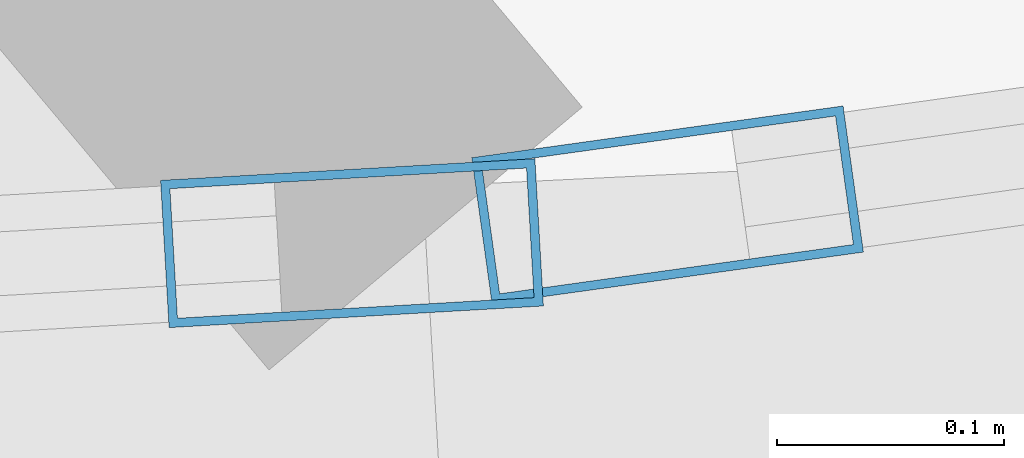
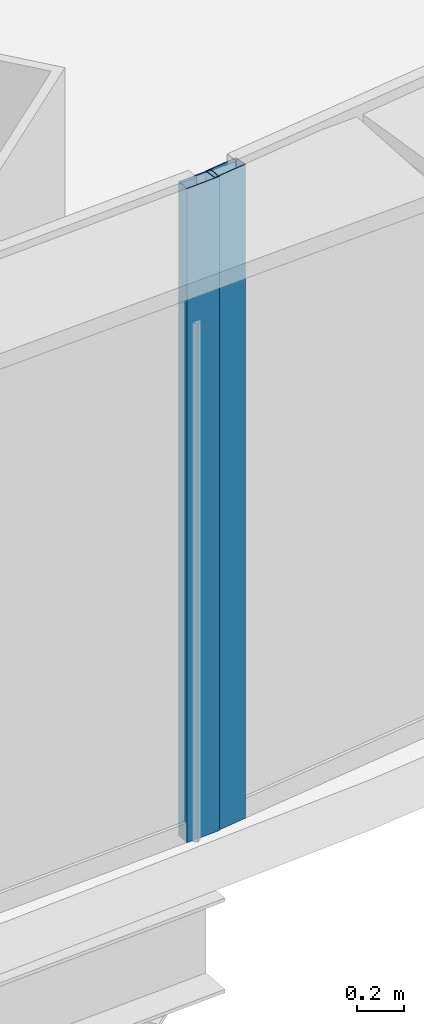
# One storey, part 12 of 37: 2 members, 2 elements without a shape of their own.
"""IFC4 building model written with IfcOpenShell, lengths in metres."""

from ifc_helpers import new_model, si_unit, direction, frame, origin, origin_2d, place, context, subcontext, project, spatial, hollow_rectangle, extrude, source, transform, mapped, material, layer, layer_set, material_profile, profile_set, type_object, element, aggregate, save


model = new_model("IFC4")

# Units and contexts
model_context = context("Model", 3, precision=1e-05, world=origin(), true_north=direction((0.0, 1.0)))
body_context = subcontext(model_context, "Body", "Model", "MODEL_VIEW")
ifc_project = project(units=[si_unit("LENGTHUNIT", "METRE"), si_unit("AREAUNIT", "SQUARE_METRE"), si_unit("VOLUMEUNIT", "CUBIC_METRE"), si_unit("PLANEANGLEUNIT", "RADIAN"), si_unit("MASSUNIT", "GRAM", prefix="KILO"), si_unit("THERMODYNAMICTEMPERATUREUNIT", "KELVIN"), si_unit("POWERUNIT", "WATT")], contexts=[model_context])

# Site, building, storey
site_placement = place(None, origin())
site = spatial("IfcSite", under=ifc_project, at=site_placement, CompositionType="ELEMENT")
building_placement = place(site_placement, origin())
building = spatial("IfcBuilding", under=site, at=building_placement, Name="Yunzhuo Pagoda Commons", CompositionType="ELEMENT")
storey_placement = place(building_placement, frame((0.0, 0.0, 55.81005859375)))
storey = spatial("IfcBuildingStorey", under=building, at=storey_placement, Name="L14", CompositionType="ELEMENT", Elevation=55.81005859375)

# Curtain wall, member
ifc_material = material(Name="Anodized aluminium 6063-T6", Category="aluminium")
ifc_layer = layer(ifc_material, 0.1650390625)
ifc_layer_set = layer_set([ifc_layer], Name="Anodized aluminium 6063-T6")
curtain_wall_type = type_object("IfcCurtainWallType", Name="CW-LOW Low-Zone Ribbon Curtain Wall", PredefinedType="NOTDEFINED", material=ifc_layer_set)
curtain_wall_1_placement = place(storey_placement, origin())
curtain_wall_1 = element("IfcCurtainWall", 1, at=curtain_wall_1_placement, inside=storey, type_object=curtain_wall_type, Name="L14 curtain wall CW-L14-F1B4", PredefinedType="NOTDEFINED")
ifc_material_profile = material_profile(ifc_material, hollow_rectangle(XDim=0.06494140625, YDim=0.1650390625, WallThickness=0.00390625, at=origin_2d()), Name="Anodized aluminium 6063-T6")
ifc_profile_set = profile_set([ifc_material_profile], Name="Anodized aluminium 6063-T6")
member_type = type_object("IfcMemberType", Name="CW-LOW-M Mullion RHS 165x65x4", PredefinedType="MULLION", material=ifc_profile_set)
shared_shape = source(origin(), body_context, "Body", "SweptSolid", [
    extrude(hollow_rectangle(XDim=0.06494140625, YDim=0.1650390625, WallThickness=0.00390625, at=origin_2d()), origin(), (0.0, 0.0, 1.0), 3.369873046875),
])
member_1_placement = place(storey_placement, frame((66.355224609375, 11.78466796875, 0.0), z_axis=(0.0, 0.0, 1.0), x_axis=(-0.057664069997, 0.998336043139, 0.0)))
member_1 = element("IfcMember", 2, at=member_1_placement, type_object=member_type, Name="CW mullion 2", PredefinedType="MULLION", context=body_context, shape_type="MappedRepresentation", body=[
    mapped(shared_shape, transform((0.0, 0.0, 0.0), scale=1.0)),
])
aggregate(curtain_wall_1, [member_1])

curtain_wall_2_placement = place(storey_placement, origin())
curtain_wall_2 = element("IfcCurtainWall", 3, at=curtain_wall_2_placement, inside=storey, type_object=curtain_wall_type, Name="L14 curtain wall CW-L14-F1B5", PredefinedType="NOTDEFINED")
member_2_placement = place(storey_placement, frame((66.494140625, 11.801513671875, 0.0), z_axis=(0.0, 0.0, 1.0), x_axis=(-0.13790498569, 0.990445462871, 0.0)))
member_2 = element("IfcMember", 4, at=member_2_placement, type_object=member_type, Name="CW mullion 1", PredefinedType="MULLION", context=body_context, shape_type="MappedRepresentation", body=[
    mapped(shared_shape, transform((0.0, 0.0, 0.0), scale=1.0)),
])
aggregate(curtain_wall_2, [member_2])

save(model, "model.ifc")
